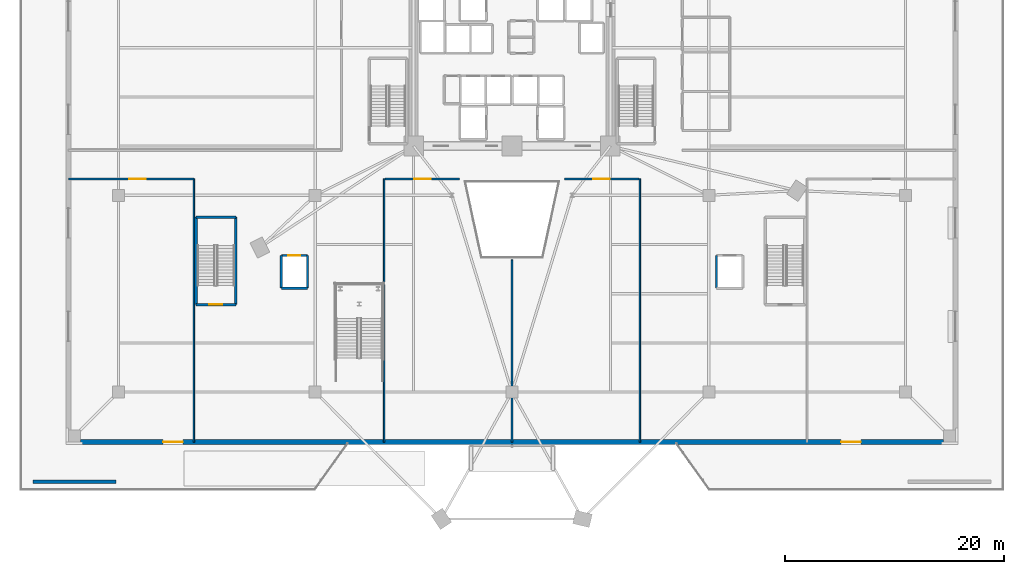
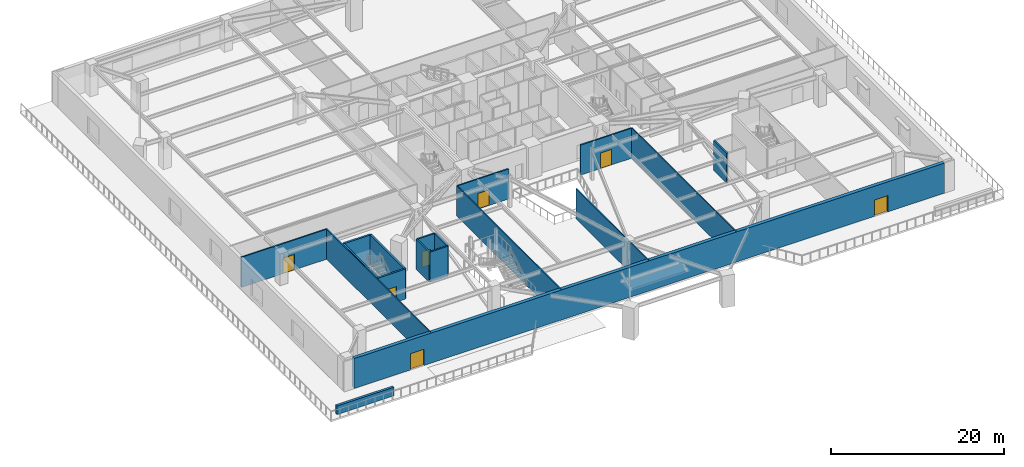
# One storey, part 7 of 19: 18 walls, 7 doors, 7 openings.
"""IFC4 building model written with IfcOpenShell, lengths in metres."""

from ifc_helpers import new_model, si_unit, direction, frame, frame_2d, origin, place, context, subcontext, project, spatial, rectangle, extrude, source, transform, mapped, material, layer, layer_set, type_object, element, fill, save


model = new_model("IFC4")

# Units and contexts
model_context = context("Model", 3, precision=1e-05, world=origin(), true_north=direction((0.0, 1.0)))
body_context = subcontext(model_context, "Body", "Model", "MODEL_VIEW")
ifc_project = project(units=[si_unit("LENGTHUNIT", "METRE"), si_unit("AREAUNIT", "SQUARE_METRE"), si_unit("VOLUMEUNIT", "CUBIC_METRE"), si_unit("PLANEANGLEUNIT", "RADIAN"), si_unit("MASSUNIT", "GRAM", prefix="KILO")], contexts=[model_context])

# Site, building, storey
site_placement = place(None, origin())
site = spatial("IfcSite", under=ifc_project, at=site_placement, CompositionType="ELEMENT")
building_placement = place(site_placement, origin())
building = spatial("IfcBuilding", under=site, at=building_placement, Name="Liaohun Quay Tower", CompositionType="ELEMENT")
storey_placement = place(building_placement, frame((0.0, 0.0, 9.89990234375)))
storey = spatial("IfcBuildingStorey", under=building, at=storey_placement, Name="L03", CompositionType="ELEMENT", Elevation=9.89990234375)

# Wall, openings, doors
ifc_material_1 = material(Name="Precast concrete C50 with granite facing", Category="masonry")
ifc_layer_1 = layer(ifc_material_1, 0.4599609375, Name="Precast concrete C50 with granite facing", Category="masonry")
ifc_layer_set_1 = layer_set([ifc_layer_1], Name="Precast concrete C50 with granite facing")
wall_type_1 = type_object("IfcWallType", Name="WAL-EXT-POD", PredefinedType="SOLIDWALL", material=ifc_layer_set_1)
wall_1_placement = place(storey_placement, frame((20.5400390625, 19.429931640625, 0.0), z_axis=(0.0, 0.0, 1.0), x_axis=(1.0, 0.0, 0.0)))
wall_1 = element("IfcWall", 1, at=wall_1_placement, inside=storey, type_object=wall_type_1, Name="L03 Podium Precast Facade Wall 04", PredefinedType="SOLIDWALL", context=body_context, shape_type="SweptSolid", body=[
    extrude(rectangle(XDim=78.919921875, YDim=0.4599609375, at=frame_2d((39.4599609375, 0.0))), origin(), (0.0, 0.0, 1.0), 4.25),
])
shared_shape_1 = source(origin(), body_context, "Body", "SweptSolid", [
    extrude(rectangle(XDim=1.800048828125, YDim=2.300048828125, at=frame_2d((0.89990234375, 1.14990234375))), frame((0.0, 0.239990234375, 0.0), z_axis=(0.0, -1.0, 0.0), x_axis=(1.0, 0.0, 0.0)), (0.0, 0.0, 1.0), 0.47998046875),
])
opening_1_placement = place(wall_1_placement, frame((7.56005859375, 0.0, 0.0)))
opening_1 = element("IfcOpeningElement", 2, at=opening_1_placement, cuts=wall_1, Name="Opening TD1", PredefinedType="OPENING", context=body_context, shape_type="MappedRepresentation", body=[
    mapped(shared_shape_1, transform((0.0, 0.0, 0.0), x_axis=(1.0, 0.0, 0.0), y_axis=(0.0, 1.0, 0.0), z_axis=(0.0, 0.0, 1.0), scale=1.0)),
])
opening_2_placement = place(wall_1_placement, frame((69.56005859375, 0.0, 0.0)))
opening_2 = element("IfcOpeningElement", 3, at=opening_2_placement, cuts=wall_1, Name="Opening TD1", PredefinedType="OPENING", context=body_context, shape_type="MappedRepresentation", body=[
    mapped(shared_shape_1, transform((0.0, 0.0, 0.0), x_axis=(1.0, 0.0, 0.0), y_axis=(0.0, 1.0, 0.0), z_axis=(0.0, 0.0, 1.0), scale=1.0)),
])
ifc_material_2 = material(Name="Thermally broken aluminium and triple glazing", Category="aluminium")
door_type_1 = type_object("IfcDoorType", Name="DOR-TERR-1800", OperationType="DOUBLE_DOOR_SINGLE_SWING", PredefinedType="DOOR", material=ifc_material_2)
shared_shape_2 = source(origin(), body_context, "Body", "SweptSolid", [
    extrude(rectangle(XDim=1.800048828125, YDim=2.300048828125, at=frame_2d((0.89990234375, 1.14990234375))), frame((0.0, 0.02490234375, 0.0), z_axis=(0.0, -1.0, 0.0), x_axis=(1.0, 0.0, 0.0)), (0.0, 0.0, 1.0), 0.050048828125),
])
door_1_placement = place(opening_1_placement, origin())
door_1 = element("IfcDoor", 4, at=door_1_placement, inside=storey, type_object=door_type_1, Name="L03 Waterfront Stepped Terrace Door 1", OperationType="DOUBLE_DOOR_SINGLE_SWING", OverallHeight=2.300048828125, OverallWidth=1.800048828125, PredefinedType="DOOR", context=body_context, shape_type="MappedRepresentation", body=[
    mapped(shared_shape_2, transform((0.0, 0.0, 0.0), x_axis=(1.0, 0.0, 0.0), y_axis=(0.0, 1.0, 0.0), z_axis=(0.0, 0.0, 1.0), scale=1.0)),
])
fill(opening_1, door_1)
door_2_placement = place(opening_2_placement, origin())
door_2 = element("IfcDoor", 5, at=door_2_placement, inside=storey, type_object=door_type_1, Name="L03 Waterfront Stepped Terrace Door 2", OperationType="DOUBLE_DOOR_SINGLE_SWING", OverallHeight=2.300048828125, OverallWidth=1.800048828125, PredefinedType="DOOR", context=body_context, shape_type="MappedRepresentation", body=[
    mapped(shared_shape_2, transform((0.0, 0.0, 0.0), x_axis=(1.0, 0.0, 0.0), y_axis=(0.0, 1.0, 0.0), z_axis=(0.0, 0.0, 1.0), scale=1.0)),
])
fill(opening_2, door_2)

# Wall
ifc_material_3 = material(Name="Precast concrete C50", Category="concrete")
ifc_layer_2 = layer(ifc_material_3, 0.320068359375, Name="Precast concrete C50", Category="concrete")
ifc_layer_set_2 = layer_set([ifc_layer_2], Name="Precast concrete C50")
wall_type_2 = type_object("IfcWallType", Name="WAL-PAR-320", PredefinedType="PARAPET", material=ifc_layer_set_2)
wall_2_placement = place(storey_placement, frame((16.199951171875, 15.800048828125, 0.0), z_axis=(0.0, 0.0, 1.0), x_axis=(1.0, 0.0, 0.0)))
element("IfcWall", 6, at=wall_2_placement, inside=storey, type_object=wall_type_2, Name="L03 Terrace Corner Parapet Wall PW-1-1", PredefinedType="PARAPET", context=body_context, shape_type="SweptSolid", body=[
    extrude(rectangle(XDim=7.60009765625, YDim=0.320068359375, at=frame_2d((3.800048828125, 0.0))), origin(), (0.0, 0.0, 1.0), 1.22021484375),
])

# Wall, opening, door
ifc_material_4 = material(Name="Autoclaved aerated concrete blockwork", Category="masonry")
ifc_layer_3 = layer(ifc_material_4, 0.179931640625, Name="Autoclaved aerated concrete blockwork", Category="masonry")
ifc_layer_set_3 = layer_set([ifc_layer_3], Name="Autoclaved aerated concrete blockwork")
wall_type_3 = type_object("IfcWallType", Name="WAL-PRT-COR", PredefinedType="PARTITIONING", material=ifc_layer_set_3)
wall_3_placement = place(storey_placement, frame((48.39990234375, 43.5, 0.0), z_axis=(0.0, 0.0, 1.0), x_axis=(1.0, 0.0, 0.0)))
wall_3 = element("IfcWall", 7, at=wall_3_placement, inside=storey, type_object=wall_type_3, Name="L03 Interior Partition Wall 014", PredefinedType="PARTITIONING", context=body_context, shape_type="SweptSolid", body=[
    extrude(rectangle(XDim=6.800048828125, YDim=0.179931640625, at=frame_2d((3.39990234375, 0.0))), origin(), (0.0, 0.0, 1.0), 4.25),
])
shared_shape_3 = source(origin(), body_context, "Body", "SweptSolid", [
    extrude(rectangle(XDim=1.5, YDim=2.199951171875, at=frame_2d((0.75, 1.10009765625))), frame((0.0, 0.099853515625, 0.0), z_axis=(0.0, -1.0, 0.0), x_axis=(1.0, 0.0, 0.0)), (0.0, 0.0, 1.0), 0.199951171875),
])
opening_3_placement = place(wall_3_placement, frame((2.64990234375, 0.0, 0.0)))
opening_3 = element("IfcOpeningElement", 8, at=opening_3_placement, cuts=wall_3, Name="Opening OD2", PredefinedType="OPENING", context=body_context, shape_type="MappedRepresentation", body=[
    mapped(shared_shape_3, transform((0.0, 0.0, 0.0), x_axis=(1.0, 0.0, 0.0), y_axis=(0.0, 1.0, 0.0), z_axis=(0.0, 0.0, 1.0), scale=1.0)),
])
ifc_material_5 = material(Name="Acoustic oak veneer double door")
door_type_2 = type_object("IfcDoorType", Name="DOR-OFF-1500", OperationType="DOUBLE_DOOR_SINGLE_SWING", PredefinedType="DOOR", material=ifc_material_5)
shared_shape_4 = source(origin(), body_context, "Body", "SweptSolid", [
    extrude(rectangle(XDim=1.5, YDim=2.199951171875, at=frame_2d((0.75, 1.10009765625))), frame((0.0, 0.02490234375, 0.0), z_axis=(0.0, -1.0, 0.0), x_axis=(1.0, 0.0, 0.0)), (0.0, 0.0, 1.0), 0.050048828125),
])
door_3_placement = place(opening_3_placement, origin())
door_3 = element("IfcDoor", 9, at=door_3_placement, inside=storey, type_object=door_type_2, Name="L03 Riverfront Terrace Salon West Door", OperationType="DOUBLE_DOOR_SINGLE_SWING", OverallHeight=2.199951171875, OverallWidth=1.5, PredefinedType="DOOR", context=body_context, shape_type="MappedRepresentation", body=[
    mapped(shared_shape_4, transform((0.0, 0.0, 0.0), x_axis=(1.0, 0.0, 0.0), y_axis=(0.0, 1.0, 0.0), z_axis=(0.0, 0.0, 1.0), scale=1.0)),
])
fill(opening_3, door_3)

wall_4_placement = place(storey_placement, frame((64.800048828125, 43.5, 0.0), z_axis=(0.0, 0.0, 1.0), x_axis=(1.0, 0.0, 0.0)))
wall_4 = element("IfcWall", 10, at=wall_4_placement, inside=storey, type_object=wall_type_3, Name="L03 Interior Partition Wall 015", PredefinedType="PARTITIONING", context=body_context, shape_type="SweptSolid", body=[
    extrude(rectangle(XDim=6.800048828125, YDim=0.179931640625, at=frame_2d((3.39990234375, 0.0))), origin(), (0.0, 0.0, 1.0), 4.25),
])
opening_4_placement = place(wall_4_placement, frame((2.64990234375, 0.0, 0.0)))
opening_4 = element("IfcOpeningElement", 11, at=opening_4_placement, cuts=wall_4, Name="Opening OD2", PredefinedType="OPENING", context=body_context, shape_type="MappedRepresentation", body=[
    mapped(shared_shape_3, transform((0.0, 0.0, 0.0), x_axis=(1.0, 0.0, 0.0), y_axis=(0.0, 1.0, 0.0), z_axis=(0.0, 0.0, 1.0), scale=1.0)),
])
door_4_placement = place(opening_4_placement, origin())
door_4 = element("IfcDoor", 12, at=door_4_placement, inside=storey, type_object=door_type_2, Name="L03 Riverfront Terrace Salon East Door", OperationType="DOUBLE_DOOR_SINGLE_SWING", OverallHeight=2.199951171875, OverallWidth=1.5, PredefinedType="DOOR", context=body_context, shape_type="MappedRepresentation", body=[
    mapped(shared_shape_4, transform((0.0, 0.0, 0.0), x_axis=(1.0, 0.0, 0.0), y_axis=(0.0, 1.0, 0.0), z_axis=(0.0, 0.0, 1.0), scale=1.0)),
])
fill(opening_4, door_4)

wall_5_placement = place(storey_placement, frame((19.425048828125, 43.5, 0.0), z_axis=(0.0, 0.0, 1.0), x_axis=(1.0, 0.0, 0.0)))
wall_5 = element("IfcWall", 13, at=wall_5_placement, inside=storey, type_object=wall_type_3, Name="L03 Interior Partition Wall 016", PredefinedType="PARTITIONING", context=body_context, shape_type="SweptSolid", body=[
    extrude(rectangle(XDim=11.474853515625, YDim=0.179931640625, at=frame_2d((5.7373046875, 0.0))), origin(), (0.0, 0.0, 1.0), 4.25),
])
opening_5_placement = place(wall_5_placement, frame((5.5869140625, 0.0, 0.0)))
opening_5 = element("IfcOpeningElement", 14, at=opening_5_placement, cuts=wall_5, Name="Opening OD2", PredefinedType="OPENING", context=body_context, shape_type="MappedRepresentation", body=[
    mapped(shared_shape_3, transform((0.0, 0.0, 0.0), x_axis=(1.0, 0.0, 0.0), y_axis=(0.0, 1.0, 0.0), z_axis=(0.0, 0.0, 1.0), scale=1.0)),
])
door_5_placement = place(opening_5_placement, origin())
door_5 = element("IfcDoor", 15, at=door_5_placement, inside=storey, type_object=door_type_2, Name="L03 Waterfront Civic Auditorium Door", OperationType="DOUBLE_DOOR_SINGLE_SWING", OverallHeight=2.199951171875, OverallWidth=1.5, PredefinedType="DOOR", context=body_context, shape_type="MappedRepresentation", body=[
    mapped(shared_shape_4, transform((0.0, 0.0, 0.0), x_axis=(1.0, 0.0, 0.0), y_axis=(0.0, 1.0, 0.0), z_axis=(0.0, 0.0, 1.0), scale=1.0)),
])
fill(opening_5, door_5)

# Walls
ifc_material_6 = material(Name="Gypsum board on twin steel studs", Category="steel")
ifc_layer_4 = layer(ifc_material_6, 0.139892578125, Name="Gypsum board on twin steel studs", Category="steel")
ifc_layer_set_4 = layer_set([ifc_layer_4], Name="Gypsum board on twin steel studs")
wall_type_4 = type_object("IfcWallType", Name="WAL-PRT-OFF", PredefinedType="PARTITIONING", material=ifc_layer_set_4)
for number, where, z_axis, x_axis, name in (
    (16, (30.89990234375, 19.425048828125, 0.0), (0.0, 0.0, 1.0), (0.0, 1.0, 0.0), "L03 Interior Partition Wall 035"),
    (17, (48.300048828125, 19.425048828125, 0.0), (0.0, 0.0, 1.0), (0.0, 1.0, 0.0), "L03 Interior Partition Wall 037"),
    (18, (71.699951171875, 19.425048828125, 0.0), (0.0, 0.0, 1.0), (0.0, 1.0, 0.0), "L03 Interior Partition Wall 038"),
):
    element("IfcWall", number, at=place(storey_placement, frame(where, z_axis=z_axis, x_axis=x_axis)), inside=storey, type_object=wall_type_4, Name=name, PredefinedType="PARTITIONING", context=body_context, shape_type="SweptSolid", body=[
        extrude(rectangle(XDim=24.074951171875, YDim=0.139892578125, at=frame_2d((12.03759765625, 0.0))), origin(), (0.0, 0.0, 1.0), 4.25),
    ])
wall_6_placement = place(storey_placement, frame((60.0, 19.425048828125, 0.0), z_axis=(0.0, 0.0, 1.0), x_axis=(0.0, 1.0, 0.0)))
element("IfcWall", 19, at=wall_6_placement, inside=storey, type_object=wall_type_4, Name="L03 Interior Partition Wall 039", PredefinedType="PARTITIONING", context=body_context, shape_type="SweptSolid", body=[
    extrude(rectangle(XDim=16.675048828125, YDim=0.139892578125, at=frame_2d((8.33740234375, 0.0))), origin(), (0.0, 0.0, 1.0), 4.25),
])

# Wall, opening, door
ifc_material_7 = material(Name="Concrete C50", Category="concrete")
ifc_layer_5 = layer(ifc_material_7, 0.239990234375, Name="Concrete C50", Category="concrete")
ifc_layer_set_5 = layer_set([ifc_layer_5], Name="Concrete C50")
wall_type_5 = type_object("IfcWallType", Name="WAL-SHF-200", PredefinedType="SOLIDWALL", material=ifc_layer_set_5)
wall_7_placement = place(storey_placement, frame((31.10009765625, 32.0, 0.0), z_axis=(0.0, 0.0, 1.0), x_axis=(1.0, 0.0, 0.0)))
wall_7 = element("IfcWall", 20, at=wall_7_placement, inside=storey, type_object=wall_type_5, Name="L03 Stairwell ST-P1 Structural Core Wall S", PredefinedType="SOLIDWALL", context=body_context, shape_type="SweptSolid", body=[
    extrude(rectangle(XDim=3.639892578125, YDim=0.239990234375, at=frame_2d((1.81982421875, 0.0))), origin(), (0.0, 0.0, 1.0), 4.25),
])
shared_shape_5 = source(origin(), body_context, "Body", "SweptSolid", [
    extrude(rectangle(XDim=1.199951171875, YDim=2.199951171875, at=frame_2d((0.60009765625, 1.10009765625))), frame((0.0, 0.1298828125, 0.0), z_axis=(0.0, -1.0, 0.0), x_axis=(1.0, 0.0, 0.0)), (0.0, 0.0, 1.0), 0.260009765625),
])
opening_6_placement = place(wall_7_placement, frame((1.219970703125, 0.0, 0.0)))
opening_6 = element("IfcOpeningElement", 21, at=opening_6_placement, cuts=wall_7, Name="Opening SD1", PredefinedType="OPENING", context=body_context, shape_type="MappedRepresentation", body=[
    mapped(shared_shape_5, transform((0.0, 0.0, 0.0), x_axis=(1.0, 0.0, 0.0), y_axis=(0.0, 1.0, 0.0), z_axis=(0.0, 0.0, 1.0), scale=1.0)),
])
ifc_material_8 = material(Name="Galvanised steel fire door", Category="steel")
door_type_3 = type_object("IfcDoorType", Name="DOR-STR-1200", OperationType="NOTDEFINED", PredefinedType="DOOR", material=ifc_material_8)
shared_shape_6 = source(origin(), body_context, "Body", "SweptSolid", [
    extrude(rectangle(XDim=1.199951171875, YDim=2.199951171875, at=frame_2d((0.60009765625, 1.10009765625))), frame((0.0, 0.02490234375, 0.0), z_axis=(0.0, -1.0, 0.0), x_axis=(1.0, 0.0, 0.0)), (0.0, 0.0, 1.0), 0.050048828125),
])
door_6_placement = place(opening_6_placement, origin())
door_6 = element("IfcDoor", 22, at=door_6_placement, inside=storey, type_object=door_type_3, Name="L03 Protected Stair ST-P1 Fire Door", OperationType="SINGLE_SWING_LEFT", OverallHeight=2.199951171875, OverallWidth=1.199951171875, PredefinedType="DOOR", context=body_context, shape_type="MappedRepresentation", body=[
    mapped(shared_shape_6, transform((0.0, 0.0, 0.0), x_axis=(1.0, 0.0, 0.0), y_axis=(0.0, 1.0, 0.0), z_axis=(0.0, 0.0, 1.0), scale=1.0)),
])
fill(opening_6, door_6)

# Walls
wall_8_placement = place(storey_placement, frame((34.739990234375, 32.0, 0.0), z_axis=(0.0, 0.0, 1.0), x_axis=(0.0, 1.0, 0.0)))
element("IfcWall", 23, at=wall_8_placement, inside=storey, type_object=wall_type_5, Name="L03 Stairwell ST-P1 Structural Core Wall E", PredefinedType="SOLIDWALL", context=body_context, shape_type="SweptSolid", body=[
    extrude(rectangle(XDim=8.0, YDim=0.239990234375, at=frame_2d((4.0, 0.0))), origin(), (0.0, 0.0, 1.0), 4.25),
])
wall_9_placement = place(storey_placement, frame((34.739990234375, 40.0, 0.0), z_axis=(0.0, 0.0, 1.0), x_axis=(-1.0, 0.0, 0.0)))
element("IfcWall", 24, at=wall_9_placement, inside=storey, type_object=wall_type_5, Name="L03 Stairwell ST-P1 Structural Core Wall N", PredefinedType="SOLIDWALL", context=body_context, shape_type="SweptSolid", body=[
    extrude(rectangle(XDim=3.639892578125, YDim=0.239990234375, at=frame_2d((1.81982421875, 0.0))), origin(), (0.0, 0.0, 1.0), 4.25),
])
wall_10_placement = place(storey_placement, frame((31.10009765625, 40.0, 0.0), z_axis=(0.0, 0.0, 1.0), x_axis=(0.0, -1.0, 0.0)))
element("IfcWall", 25, at=wall_10_placement, inside=storey, type_object=wall_type_5, Name="L03 Stairwell ST-P1 Structural Core Wall W", PredefinedType="SOLIDWALL", context=body_context, shape_type="SweptSolid", body=[
    extrude(rectangle(XDim=8.0, YDim=0.239990234375, at=frame_2d((4.0, 0.0))), origin(), (0.0, 0.0, 1.0), 4.25),
])
wall_11_placement = place(storey_placement, frame((38.89990234375, 33.5, 0.0), z_axis=(0.0, 0.0, 1.0), x_axis=(1.0, 0.0, 0.0)))
element("IfcWall", 26, at=wall_11_placement, inside=storey, type_object=wall_type_5, Name="L03 Lift PD-01 Hoistway Wall S", PredefinedType="SOLIDWALL", context=body_context, shape_type="SweptSolid", body=[
    extrude(rectangle(XDim=2.400146484375, YDim=0.199951171875, at=frame_2d((1.2001953125, 0.0))), origin(), (0.0, 0.0, 1.0), 4.25),
])
wall_12_placement = place(storey_placement, frame((41.300048828125, 33.5, 0.0), z_axis=(0.0, 0.0, 1.0), x_axis=(0.0, 1.0, 0.0)))
element("IfcWall", 27, at=wall_12_placement, inside=storey, type_object=wall_type_5, Name="L03 Lift PD-01 Hoistway Wall E", PredefinedType="SOLIDWALL", context=body_context, shape_type="SweptSolid", body=[
    extrude(rectangle(XDim=3.0, YDim=0.199951171875, at=frame_2d((1.5, 0.0))), origin(), (0.0, 0.0, 1.0), 4.25),
])

# Wall, opening, door
wall_13_placement = place(storey_placement, frame((41.300048828125, 36.5, 0.0), z_axis=(0.0, 0.0, 1.0), x_axis=(-1.0, 0.0, 0.0)))
wall_13 = element("IfcWall", 28, at=wall_13_placement, inside=storey, type_object=wall_type_5, Name="L03 Lift PD-01 Hoistway Wall N", PredefinedType="SOLIDWALL", context=body_context, shape_type="SweptSolid", body=[
    extrude(rectangle(XDim=2.400146484375, YDim=0.199951171875, at=frame_2d((1.2001953125, 0.0))), origin(), (0.0, 0.0, 1.0), 4.25),
])
shared_shape_7 = source(origin(), body_context, "Body", "SweptSolid", [
    extrude(rectangle(XDim=1.10009765625, YDim=2.199951171875, at=frame_2d((0.550048828125, 1.10009765625))), frame((0.0, 0.10986328125, 0.0), z_axis=(0.0, -1.0, 0.0), x_axis=(1.0, 0.0, 0.0)), (0.0, 0.0, 1.0), 0.219970703125),
])
opening_7_placement = place(wall_13_placement, frame((0.64990234375, 0.0, 0.0)))
opening_7 = element("IfcOpeningElement", 29, at=opening_7_placement, cuts=wall_13, Name="Opening LD1", PredefinedType="OPENING", context=body_context, shape_type="MappedRepresentation", body=[
    mapped(shared_shape_7, transform((0.0, 0.0, 0.0), x_axis=(1.0, 0.0, 0.0), y_axis=(0.0, 1.0, 0.0), z_axis=(0.0, 0.0, 1.0), scale=1.0)),
])
ifc_material_9 = material(Name="Brushed stainless steel landing door", Category="steel")
door_type_4 = type_object("IfcDoorType", Name="DOR-LFT-1100", OperationType="SLIDING_TO_LEFT", PredefinedType="DOOR", material=ifc_material_9)
shared_shape_8 = source(origin(), body_context, "Body", "SweptSolid", [
    extrude(rectangle(XDim=1.10009765625, YDim=2.199951171875, at=frame_2d((0.550048828125, 1.10009765625))), frame((0.0, 0.02490234375, 0.0), z_axis=(0.0, -1.0, 0.0), x_axis=(1.0, 0.0, 0.0)), (0.0, 0.0, 1.0), 0.050048828125),
])
door_7_placement = place(opening_7_placement, origin())
door_7 = element("IfcDoor", 30, at=door_7_placement, inside=storey, type_object=door_type_4, Name="L03 Lift PD-01 Sliding Landing Door", OperationType="SLIDING_TO_LEFT", OverallHeight=2.199951171875, OverallWidth=1.10009765625, PredefinedType="DOOR", context=body_context, shape_type="MappedRepresentation", body=[
    mapped(shared_shape_8, transform((0.0, 0.0, 0.0), x_axis=(1.0, 0.0, 0.0), y_axis=(0.0, 1.0, 0.0), z_axis=(0.0, 0.0, 1.0), scale=1.0)),
])
fill(opening_7, door_7)

# Walls
for number, where, z_axis, x_axis, name in (
    (31, (38.89990234375, 36.5, 0.0), (0.0, 0.0, 1.0), (0.0, -1.0, 0.0), "L03 Lift PD-01 Hoistway Wall W"),
    (32, (78.699951171875, 36.5, 0.0), (0.0, 0.0, 1.0), (0.0, -1.0, 0.0), "L03 Lift PD-02 Hoistway Wall W"),
):
    element("IfcWall", number, at=place(storey_placement, frame(where, z_axis=z_axis, x_axis=x_axis)), inside=storey, type_object=wall_type_5, Name=name, PredefinedType="SOLIDWALL", context=body_context, shape_type="SweptSolid", body=[
        extrude(rectangle(XDim=3.0, YDim=0.199951171875, at=frame_2d((1.5, 0.0))), origin(), (0.0, 0.0, 1.0), 4.25),
    ])

save(model, "model.ifc")
